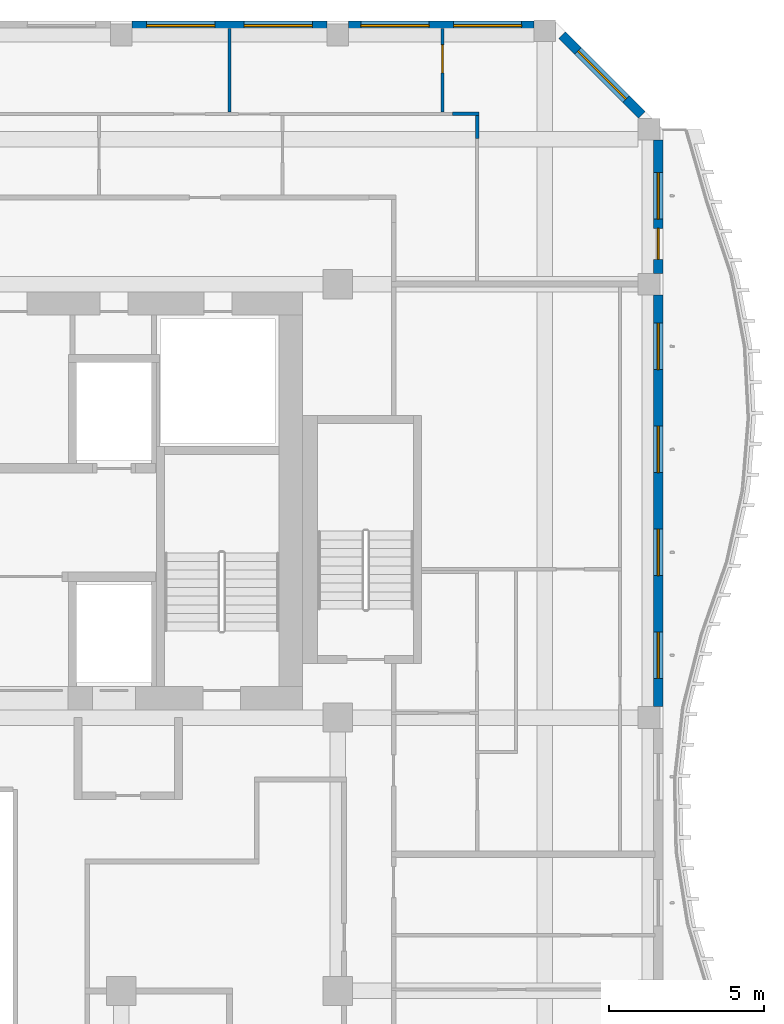
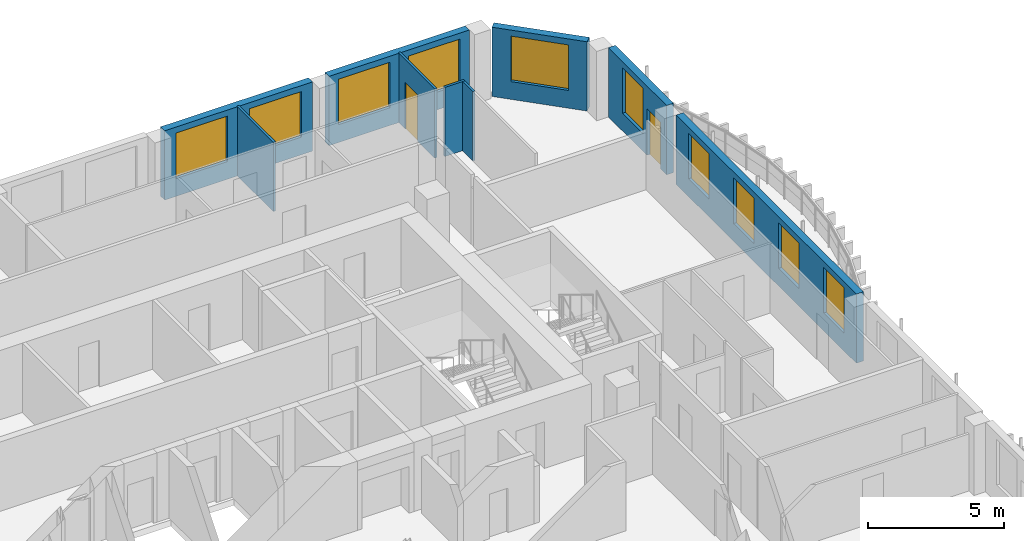
# One storey, part 9 of 18: 10 windows, 9 walls, 2 doors, 12 openings.
"""IFC4 building model written with IfcOpenShell, lengths in metres."""

from ifc_helpers import new_model, si_unit, direction, frame, frame_2d, origin, place, context, subcontext, project, spatial, rectangle, extrude, source, transform, mapped, material, layer, layer_set, type_object, element, fill, save


model = new_model("IFC4")

# Units and contexts
model_context = context("Model", 3, precision=1e-05, world=origin(), true_north=direction((0.0, 1.0)))
body_context = subcontext(model_context, "Body", "Model", "MODEL_VIEW")
ifc_project = project(units=[si_unit("LENGTHUNIT", "METRE"), si_unit("AREAUNIT", "SQUARE_METRE"), si_unit("VOLUMEUNIT", "CUBIC_METRE"), si_unit("PLANEANGLEUNIT", "RADIAN"), si_unit("MASSUNIT", "GRAM", prefix="KILO")], contexts=[model_context])

# Site, building, storey
site_placement = place(None, origin())
site = spatial("IfcSite", under=ifc_project, at=site_placement, CompositionType="ELEMENT")
building_placement = place(site_placement, origin())
building = spatial("IfcBuilding", under=site, at=building_placement, Name="Kilnfold Tower and Market Hall", CompositionType="ELEMENT")
storey_placement = place(building_placement, frame((0.0, 0.0, 249.199951171875)))
storey = spatial("IfcBuildingStorey", under=building, at=storey_placement, Name="L60", CompositionType="ELEMENT", Elevation=249.199951171875)

# Walls
ifc_material_1 = material(Name="Gypsum board on steel studs", Category="steel")
ifc_layer_1 = layer(ifc_material_1, 0.10009765625)
ifc_layer_set_1 = layer_set([ifc_layer_1], Name="Gypsum board on steel studs")
wall_type_1 = type_object("IfcWallType", Name="WALL PARTITION 100", PredefinedType="PARTITIONING", material=ifc_layer_set_1)
wall_1_placement = place(storey_placement, frame((23.552001953125, 27.501953125, 0.0), z_axis=(0.0, 0.0, 1.0), x_axis=(-1.0, 0.0, 0.0)))
element("IfcWall", 1, at=wall_1_placement, inside=storey, type_object=wall_type_1, Name="Partition LY37.94", PredefinedType="PARTITIONING", context=body_context, shape_type="SweptSolid", body=[
    extrude(rectangle(XDim=0.85400390625, YDim=0.10009765625, at=frame_2d((0.427001953125, 0.0))), origin(), (0.0, 0.0, 1.0), 3.1201171875),
])
wall_2_placement = place(storey_placement, frame((23.501953125, 26.697998046875, 0.0), z_axis=(0.0, 0.0, 1.0), x_axis=(0.0, 1.0, 0.0)))
element("IfcWall", 2, at=wall_2_placement, inside=storey, type_object=wall_type_1, Name="Partition LY37.95", PredefinedType="PARTITIONING", context=body_context, shape_type="SweptSolid", body=[
    extrude(rectangle(XDim=0.75390625, YDim=0.10009765625, at=frame_2d((0.376953125, 0.0))), origin(), (0.0, 0.0, 1.0), 3.1201171875),
])
wall_3_placement = place(storey_placement, frame((15.5, 27.552001953125, 0.0), z_axis=(0.0, 0.0, 1.0), x_axis=(0.0, 1.0, 0.0)))
element("IfcWall", 3, at=wall_3_placement, inside=storey, type_object=wall_type_1, Name="Partition LY37.97", PredefinedType="PARTITIONING", context=body_context, shape_type="SweptSolid", body=[
    extrude(rectangle(XDim=2.697998046875, YDim=0.10009765625, at=frame_2d((1.34912109375, 0.0))), origin(), (0.0, 0.0, 1.0), 3.1201171875),
])

# Wall, opening, door
wall_4_placement = place(storey_placement, frame((22.375, 27.552001953125, 0.0), z_axis=(0.0, 0.0, 1.0), x_axis=(0.0, 1.0, 0.0)))
wall_4 = element("IfcWall", 4, at=wall_4_placement, inside=storey, type_object=wall_type_1, Name="Partition LY37.99", PredefinedType="PARTITIONING", context=body_context, shape_type="SweptSolid", body=[
    extrude(rectangle(XDim=2.697998046875, YDim=0.10009765625, at=frame_2d((1.34912109375, 0.0))), origin(), (0.0, 0.0, 1.0), 3.1201171875),
])
opening_1_placement = place(wall_4_placement, frame((1.27490234375, 0.0, 0.0)))
opening_1 = element("IfcOpeningElement", 5, at=opening_1_placement, cuts=wall_4, Name="Opening D2", PredefinedType="OPENING", context=body_context, shape_type="SweptSolid", body=[
    extrude(rectangle(XDim=0.89990234375, YDim=2.10009765625, at=frame_2d((0.449951171875, 1.050048828125))), frame((0.0, 0.06005859375, 0.0), z_axis=(0.0, -1.0, 0.0), x_axis=(1.0, 0.0, 0.0)), (0.0, 0.0, 1.0), 0.1201171875),
])
ifc_material_2 = material(Name="Timber veneer door leaf in steel frame", Category="steel")
door_type_1 = type_object("IfcDoorType", Name="DOOR ROOM 900 X2100", OperationType="NOTDEFINED", PredefinedType="DOOR", material=ifc_material_2)
door_1_placement = place(opening_1_placement, origin())
door_1 = element("IfcDoor", 6, at=door_1_placement, inside=storey, type_object=door_type_1, Name="Door D2", OperationType="SINGLE_SWING_LEFT", OverallHeight=2.10009765625, OverallWidth=0.89990234375, PredefinedType="DOOR", context=body_context, shape_type="SweptSolid", body=[
    extrude(rectangle(XDim=0.89990234375, YDim=2.10009765625, at=frame_2d((0.449951171875, 1.050048828125))), frame((0.0, 0.02490234375, 0.0), z_axis=(0.0, -1.0, 0.0), x_axis=(1.0, 0.0, 0.0)), (0.0, 0.0, 1.0), 0.050048828125),
])
fill(opening_1, door_1)

# Wall, openings, windows
ifc_material_3 = material(Name="Precast concrete C50/60", Category="concrete")
ifc_layer_2 = layer(ifc_material_3, 0.300048828125)
ifc_layer_set_2 = layer_set([ifc_layer_2], Name="Precast concrete C50/60")
wall_type_2 = type_object("IfcWallType", Name="PRECAST WALL 300", PredefinedType="SOLIDWALL", material=ifc_layer_set_2)
shared_shape_1 = source(origin(), body_context, "Body", "SweptSolid", [
    extrude(rectangle(XDim=6.2998046875, YDim=0.300048828125, at=frame_2d((3.14990234375, 0.0))), origin(), (0.0, 0.0, 1.0), 3.1201171875),
])
wall_5_placement = place(storey_placement, frame((18.64990234375, 30.35009765625, 0.0), z_axis=(0.0, 0.0, 1.0), x_axis=(-1.0, 0.0, 0.0)))
wall_5 = element("IfcWall", 7, at=wall_5_placement, inside=storey, type_object=wall_type_2, Name="External wall L60 N", PredefinedType="SOLIDWALL", context=body_context, shape_type="MappedRepresentation", body=[
    mapped(shared_shape_1, transform((0.0, 0.0, 0.0))),
])
opening_2_placement = place(wall_5_placement, frame((0.47509765625, 0.0, 0.800048828125)))
opening_2 = element("IfcOpeningElement", 8, at=opening_2_placement, cuts=wall_5, Name="Opening W3", PredefinedType="OPENING", context=body_context, shape_type="SweptSolid", body=[
    extrude(rectangle(XDim=2.199951171875, YDim=2.050048828125, at=frame_2d((1.10009765625, 1.02490234375))), frame((0.0, 0.16015625, 0.0), z_axis=(0.0, -1.0, 0.0), x_axis=(1.0, 0.0, 0.0)), (0.0, 0.0, 1.0), 0.320068359375),
])
opening_3_placement = place(wall_5_placement, frame((3.625, 0.0, 0.800048828125)))
opening_3 = element("IfcOpeningElement", 9, at=opening_3_placement, cuts=wall_5, Name="Opening W3", PredefinedType="OPENING", context=body_context, shape_type="SweptSolid", body=[
    extrude(rectangle(XDim=2.199951171875, YDim=2.050048828125, at=frame_2d((1.10009765625, 1.02490234375))), frame((0.0, 0.16015625, 0.0), z_axis=(0.0, -1.0, 0.0), x_axis=(1.0, 0.0, 0.0)), (0.0, 0.0, 1.0), 0.320068359375),
])
ifc_material_4 = material(Name="Aluminium frame and double glazing", Category="aluminium")
window_type_1 = type_object("IfcWindowType", Name="WINDOW W3 2200X2050", PartitioningType="SINGLE_PANEL", PredefinedType="WINDOW", material=ifc_material_4)
window_1_placement = place(opening_2_placement, origin())
window_1 = element("IfcWindow", 10, at=window_1_placement, inside=storey, type_object=window_type_1, Name="Window W3 L60 N-1", OverallHeight=2.050048828125, OverallWidth=2.199951171875, PartitioningType="SINGLE_PANEL", PredefinedType="WINDOW", context=body_context, shape_type="SweptSolid", body=[
    extrude(rectangle(XDim=2.199951171875, YDim=2.050048828125, at=frame_2d((1.10009765625, 1.02490234375))), frame((0.0, 0.030029296875, 0.0), z_axis=(0.0, -1.0, 0.0), x_axis=(1.0, 0.0, 0.0)), (0.0, 0.0, 1.0), 0.06005859375),
])
fill(opening_2, window_1)
window_2_placement = place(opening_3_placement, origin())
window_2 = element("IfcWindow", 11, at=window_2_placement, inside=storey, type_object=window_type_1, Name="Window W3 L60 N-2", OverallHeight=2.050048828125, OverallWidth=2.199951171875, PartitioningType="SINGLE_PANEL", PredefinedType="WINDOW", context=body_context, shape_type="SweptSolid", body=[
    extrude(rectangle(XDim=2.199951171875, YDim=2.050048828125, at=frame_2d((1.10009765625, 1.02490234375))), frame((0.0, 0.030029296875, 0.0), z_axis=(0.0, -1.0, 0.0), x_axis=(1.0, 0.0, 0.0)), (0.0, 0.0, 1.0), 0.06005859375),
])
fill(opening_3, window_2)

# Wall, opening, window
shared_shape_2 = source(origin(), body_context, "Body", "SweptSolid", [
    extrude(rectangle(XDim=3.6416015625, YDim=0.300048828125, at=frame_2d((1.82080078125, 0.0))), origin(), (0.0, 0.0, 1.0), 3.1201171875),
])
wall_6_placement = place(storey_placement, frame((28.81884765625, 27.468994140625, 0.0), z_axis=(0.0, 0.0, 1.0), x_axis=(-0.707106781187, 0.707106781187, 0.0)))
wall_6 = element("IfcWall", 12, at=wall_6_placement, inside=storey, type_object=wall_type_2, Name="External wall L60 NE", PredefinedType="SOLIDWALL", context=body_context, shape_type="MappedRepresentation", body=[
    mapped(shared_shape_2, transform((0.0, 0.0, 0.0))),
])
opening_4_placement = place(wall_6_placement, frame((0.720703125, 0.0, 0.800048828125)))
opening_4 = element("IfcOpeningElement", 13, at=opening_4_placement, cuts=wall_6, Name="Opening W3", PredefinedType="OPENING", context=body_context, shape_type="SweptSolid", body=[
    extrude(rectangle(XDim=2.199951171875, YDim=2.050048828125, at=frame_2d((1.10009765625, 1.02490234375))), frame((0.0, 0.16015625, 0.0), z_axis=(0.0, -1.0, 0.0), x_axis=(1.0, 0.0, 0.0)), (0.0, 0.0, 1.0), 0.320068359375),
])
window_3_placement = place(opening_4_placement, origin())
window_3 = element("IfcWindow", 14, at=window_3_placement, inside=storey, type_object=window_type_1, Name="Window W3 L60 NE-1", OverallHeight=2.050048828125, OverallWidth=2.199951171875, PartitioningType="SINGLE_PANEL", PredefinedType="WINDOW", context=body_context, shape_type="SweptSolid", body=[
    extrude(rectangle(XDim=2.199951171875, YDim=2.050048828125, at=frame_2d((1.10009765625, 1.02490234375))), frame((0.0, 0.030029296875, 0.0), z_axis=(0.0, -1.0, 0.0), x_axis=(1.0, 0.0, 0.0)), (0.0, 0.0, 1.0), 0.06005859375),
])
fill(opening_4, window_3)

# Wall, openings, windows
shared_shape_3 = source(origin(), body_context, "Body", "SweptSolid", [
    extrude(rectangle(XDim=13.2998046875, YDim=0.300048828125, at=frame_2d((6.64990234375, 0.0))), origin(), (0.0, 0.0, 1.0), 3.1201171875),
])
wall_7_placement = place(storey_placement, frame((29.35009765625, 8.35009765625, 0.0), z_axis=(0.0, 0.0, 1.0), x_axis=(0.0, 1.0, 0.0)))
wall_7 = element("IfcWall", 15, at=wall_7_placement, inside=storey, type_object=wall_type_2, Name="External wall L60 E", PredefinedType="SOLIDWALL", context=body_context, shape_type="MappedRepresentation", body=[
    mapped(shared_shape_3, transform((0.0, 0.0, 0.0))),
])
opening_5_placement = place(wall_7_placement, frame((0.91259765625, 0.0, 0.800048828125)))
opening_5 = element("IfcOpeningElement", 16, at=opening_5_placement, cuts=wall_7, Name="Opening W5", PredefinedType="OPENING", context=body_context, shape_type="SweptSolid", body=[
    extrude(rectangle(XDim=1.5, YDim=2.050048828125, at=frame_2d((0.75, 1.02490234375))), frame((0.0, 0.16015625, 0.0), z_axis=(0.0, -1.0, 0.0), x_axis=(1.0, 0.0, 0.0)), (0.0, 0.0, 1.0), 0.320068359375),
])
opening_6_placement = place(wall_7_placement, frame((4.237548828125, 0.0, 0.800048828125)))
opening_6 = element("IfcOpeningElement", 17, at=opening_6_placement, cuts=wall_7, Name="Opening W5", PredefinedType="OPENING", context=body_context, shape_type="SweptSolid", body=[
    extrude(rectangle(XDim=1.5, YDim=2.050048828125, at=frame_2d((0.75, 1.02490234375))), frame((0.0, 0.16015625, 0.0), z_axis=(0.0, -1.0, 0.0), x_axis=(1.0, 0.0, 0.0)), (0.0, 0.0, 1.0), 0.320068359375),
])
opening_7_placement = place(wall_7_placement, frame((7.5625, 0.0, 0.800048828125)))
opening_7 = element("IfcOpeningElement", 18, at=opening_7_placement, cuts=wall_7, Name="Opening W5", PredefinedType="OPENING", context=body_context, shape_type="SweptSolid", body=[
    extrude(rectangle(XDim=1.5, YDim=2.050048828125, at=frame_2d((0.75, 1.02490234375))), frame((0.0, 0.16015625, 0.0), z_axis=(0.0, -1.0, 0.0), x_axis=(1.0, 0.0, 0.0)), (0.0, 0.0, 1.0), 0.320068359375),
])
opening_8_placement = place(wall_7_placement, frame((10.887451171875, 0.0, 0.800048828125)))
opening_8 = element("IfcOpeningElement", 19, at=opening_8_placement, cuts=wall_7, Name="Opening W5", PredefinedType="OPENING", context=body_context, shape_type="SweptSolid", body=[
    extrude(rectangle(XDim=1.5, YDim=2.050048828125, at=frame_2d((0.75, 1.02490234375))), frame((0.0, 0.16015625, 0.0), z_axis=(0.0, -1.0, 0.0), x_axis=(1.0, 0.0, 0.0)), (0.0, 0.0, 1.0), 0.320068359375),
])
ifc_material_5 = material(Name="Aluminium frame and double glazing", Category="aluminium")
window_type_2 = type_object("IfcWindowType", Name="WINDOW W5 1500X2050", PartitioningType="SINGLE_PANEL", PredefinedType="WINDOW", material=ifc_material_5)
window_4_placement = place(opening_5_placement, origin())
window_4 = element("IfcWindow", 20, at=window_4_placement, inside=storey, type_object=window_type_2, Name="Window W5 L60 E-1", OverallHeight=2.050048828125, OverallWidth=1.5, PartitioningType="SINGLE_PANEL", PredefinedType="WINDOW", context=body_context, shape_type="SweptSolid", body=[
    extrude(rectangle(XDim=1.5, YDim=2.050048828125, at=frame_2d((0.75, 1.02490234375))), frame((0.0, 0.030029296875, 0.0), z_axis=(0.0, -1.0, 0.0), x_axis=(1.0, 0.0, 0.0)), (0.0, 0.0, 1.0), 0.06005859375),
])
fill(opening_5, window_4)
window_5_placement = place(opening_6_placement, origin())
window_5 = element("IfcWindow", 21, at=window_5_placement, inside=storey, type_object=window_type_2, Name="Window W5 L60 E-2", OverallHeight=2.050048828125, OverallWidth=1.5, PartitioningType="SINGLE_PANEL", PredefinedType="WINDOW", context=body_context, shape_type="SweptSolid", body=[
    extrude(rectangle(XDim=1.5, YDim=2.050048828125, at=frame_2d((0.75, 1.02490234375))), frame((0.0, 0.030029296875, 0.0), z_axis=(0.0, -1.0, 0.0), x_axis=(1.0, 0.0, 0.0)), (0.0, 0.0, 1.0), 0.06005859375),
])
fill(opening_6, window_5)
window_6_placement = place(opening_7_placement, origin())
window_6 = element("IfcWindow", 22, at=window_6_placement, inside=storey, type_object=window_type_2, Name="Window W5 L60 E-3", OverallHeight=2.050048828125, OverallWidth=1.5, PartitioningType="SINGLE_PANEL", PredefinedType="WINDOW", context=body_context, shape_type="SweptSolid", body=[
    extrude(rectangle(XDim=1.5, YDim=2.050048828125, at=frame_2d((0.75, 1.02490234375))), frame((0.0, 0.030029296875, 0.0), z_axis=(0.0, -1.0, 0.0), x_axis=(1.0, 0.0, 0.0)), (0.0, 0.0, 1.0), 0.06005859375),
])
fill(opening_7, window_6)
window_7_placement = place(opening_8_placement, origin())
window_7 = element("IfcWindow", 23, at=window_7_placement, inside=storey, type_object=window_type_2, Name="Window W5 L60 E-4", OverallHeight=2.050048828125, OverallWidth=1.5, PartitioningType="SINGLE_PANEL", PredefinedType="WINDOW", context=body_context, shape_type="SweptSolid", body=[
    extrude(rectangle(XDim=1.5, YDim=2.050048828125, at=frame_2d((0.75, 1.02490234375))), frame((0.0, 0.030029296875, 0.0), z_axis=(0.0, -1.0, 0.0), x_axis=(1.0, 0.0, 0.0)), (0.0, 0.0, 1.0), 0.06005859375),
])
fill(opening_8, window_7)

# Wall, openings, door, window
shared_shape_4 = source(origin(), body_context, "Body", "SweptSolid", [
    extrude(rectangle(XDim=4.2998046875, YDim=0.300048828125, at=frame_2d((2.14990234375, 0.0))), origin(), (0.0, 0.0, 1.0), 3.1201171875),
])
wall_8_placement = place(storey_placement, frame((29.35009765625, 22.35009765625, 0.0), z_axis=(0.0, 0.0, 1.0), x_axis=(0.0, 1.0, 0.0)))
wall_8 = element("IfcWall", 24, at=wall_8_placement, inside=storey, type_object=wall_type_2, Name="External wall L60 E", PredefinedType="SOLIDWALL", context=body_context, shape_type="MappedRepresentation", body=[
    mapped(shared_shape_4, transform((0.0, 0.0, 0.0))),
])
opening_9_placement = place(wall_8_placement, frame((1.75, 0.0, 0.800048828125)))
opening_9 = element("IfcOpeningElement", 25, at=opening_9_placement, cuts=wall_8, Name="Opening W5", PredefinedType="OPENING", context=body_context, shape_type="SweptSolid", body=[
    extrude(rectangle(XDim=1.5, YDim=2.050048828125, at=frame_2d((0.75, 1.02490234375))), frame((0.0, 0.16015625, 0.0), z_axis=(0.0, -1.0, 0.0), x_axis=(1.0, 0.0, 0.0)), (0.0, 0.0, 1.0), 0.320068359375),
])
opening_10_placement = place(wall_8_placement, frame((0.449951171875, 0.0, 0.0)))
opening_10 = element("IfcOpeningElement", 26, at=opening_10_placement, cuts=wall_8, Name="Opening BD1", PredefinedType="OPENING", context=body_context, shape_type="SweptSolid", body=[
    extrude(rectangle(XDim=1.0, YDim=2.10009765625, at=frame_2d((0.5, 1.050048828125))), frame((0.0, 0.16015625, 0.0), z_axis=(0.0, -1.0, 0.0), x_axis=(1.0, 0.0, 0.0)), (0.0, 0.0, 1.0), 0.320068359375),
])
ifc_material_6 = material(Name="Aluminium frame and double glazing", Category="aluminium")
door_type_2 = type_object("IfcDoorType", Name="BALCONY DOOR 1000X2100", OperationType="NOTDEFINED", PredefinedType="DOOR", material=ifc_material_6)
door_2_placement = place(opening_10_placement, origin())
door_2 = element("IfcDoor", 27, at=door_2_placement, inside=storey, type_object=door_type_2, Name="Balcony door BD1 L60 E-1", OperationType="SINGLE_SWING_LEFT", OverallHeight=2.10009765625, OverallWidth=1.0, PredefinedType="DOOR", context=body_context, shape_type="SweptSolid", body=[
    extrude(rectangle(XDim=1.0, YDim=2.10009765625, at=frame_2d((0.5, 1.050048828125))), frame((0.0, 0.02490234375, 0.0), z_axis=(0.0, -1.0, 0.0), x_axis=(1.0, 0.0, 0.0)), (0.0, 0.0, 1.0), 0.050048828125),
])
fill(opening_10, door_2)
window_8_placement = place(opening_9_placement, origin())
window_8 = element("IfcWindow", 28, at=window_8_placement, inside=storey, type_object=window_type_2, Name="Window W5 L60 E-1", OverallHeight=2.050048828125, OverallWidth=1.5, PartitioningType="SINGLE_PANEL", PredefinedType="WINDOW", context=body_context, shape_type="SweptSolid", body=[
    extrude(rectangle(XDim=1.5, YDim=2.050048828125, at=frame_2d((0.75, 1.02490234375))), frame((0.0, 0.030029296875, 0.0), z_axis=(0.0, -1.0, 0.0), x_axis=(1.0, 0.0, 0.0)), (0.0, 0.0, 1.0), 0.06005859375),
])
fill(opening_9, window_8)

# Wall, openings, windows
shared_shape_5 = source(origin(), body_context, "Body", "SweptSolid", [
    extrude(rectangle(XDim=5.981689453125, YDim=0.300048828125, at=frame_2d((2.99072265625, 0.0))), origin(), (0.0, 0.0, 1.0), 3.1201171875),
])
wall_9_placement = place(storey_placement, frame((25.331787109375, 30.35009765625, 0.0), z_axis=(0.0, 0.0, 1.0), x_axis=(-1.0, 0.0, 0.0)))
wall_9 = element("IfcWall", 29, at=wall_9_placement, inside=storey, type_object=wall_type_2, Name="External wall L60 N", PredefinedType="SOLIDWALL", context=body_context, shape_type="MappedRepresentation", body=[
    mapped(shared_shape_5, transform((0.0, 0.0, 0.0))),
])
opening_11_placement = place(wall_9_placement, frame((0.3955078125, 0.0, 0.800048828125)))
opening_11 = element("IfcOpeningElement", 30, at=opening_11_placement, cuts=wall_9, Name="Opening W3", PredefinedType="OPENING", context=body_context, shape_type="SweptSolid", body=[
    extrude(rectangle(XDim=2.199951171875, YDim=2.050048828125, at=frame_2d((1.10009765625, 1.02490234375))), frame((0.0, 0.16015625, 0.0), z_axis=(0.0, -1.0, 0.0), x_axis=(1.0, 0.0, 0.0)), (0.0, 0.0, 1.0), 0.320068359375),
])
opening_12_placement = place(wall_9_placement, frame((3.386474609375, 0.0, 0.800048828125)))
opening_12 = element("IfcOpeningElement", 31, at=opening_12_placement, cuts=wall_9, Name="Opening W3", PredefinedType="OPENING", context=body_context, shape_type="SweptSolid", body=[
    extrude(rectangle(XDim=2.199951171875, YDim=2.050048828125, at=frame_2d((1.10009765625, 1.02490234375))), frame((0.0, 0.16015625, 0.0), z_axis=(0.0, -1.0, 0.0), x_axis=(1.0, 0.0, 0.0)), (0.0, 0.0, 1.0), 0.320068359375),
])
window_9_placement = place(opening_11_placement, origin())
window_9 = element("IfcWindow", 32, at=window_9_placement, inside=storey, type_object=window_type_1, Name="Window W3 L60 N-1", OverallHeight=2.050048828125, OverallWidth=2.199951171875, PartitioningType="SINGLE_PANEL", PredefinedType="WINDOW", context=body_context, shape_type="SweptSolid", body=[
    extrude(rectangle(XDim=2.199951171875, YDim=2.050048828125, at=frame_2d((1.10009765625, 1.02490234375))), frame((0.0, 0.030029296875, 0.0), z_axis=(0.0, -1.0, 0.0), x_axis=(1.0, 0.0, 0.0)), (0.0, 0.0, 1.0), 0.06005859375),
])
fill(opening_11, window_9)
window_10_placement = place(opening_12_placement, origin())
window_10 = element("IfcWindow", 33, at=window_10_placement, inside=storey, type_object=window_type_1, Name="Window W3 L60 N-2", OverallHeight=2.050048828125, OverallWidth=2.199951171875, PartitioningType="SINGLE_PANEL", PredefinedType="WINDOW", context=body_context, shape_type="SweptSolid", body=[
    extrude(rectangle(XDim=2.199951171875, YDim=2.050048828125, at=frame_2d((1.10009765625, 1.02490234375))), frame((0.0, 0.030029296875, 0.0), z_axis=(0.0, -1.0, 0.0), x_axis=(1.0, 0.0, 0.0)), (0.0, 0.0, 1.0), 0.06005859375),
])
fill(opening_12, window_10)

save(model, "model.ifc")
